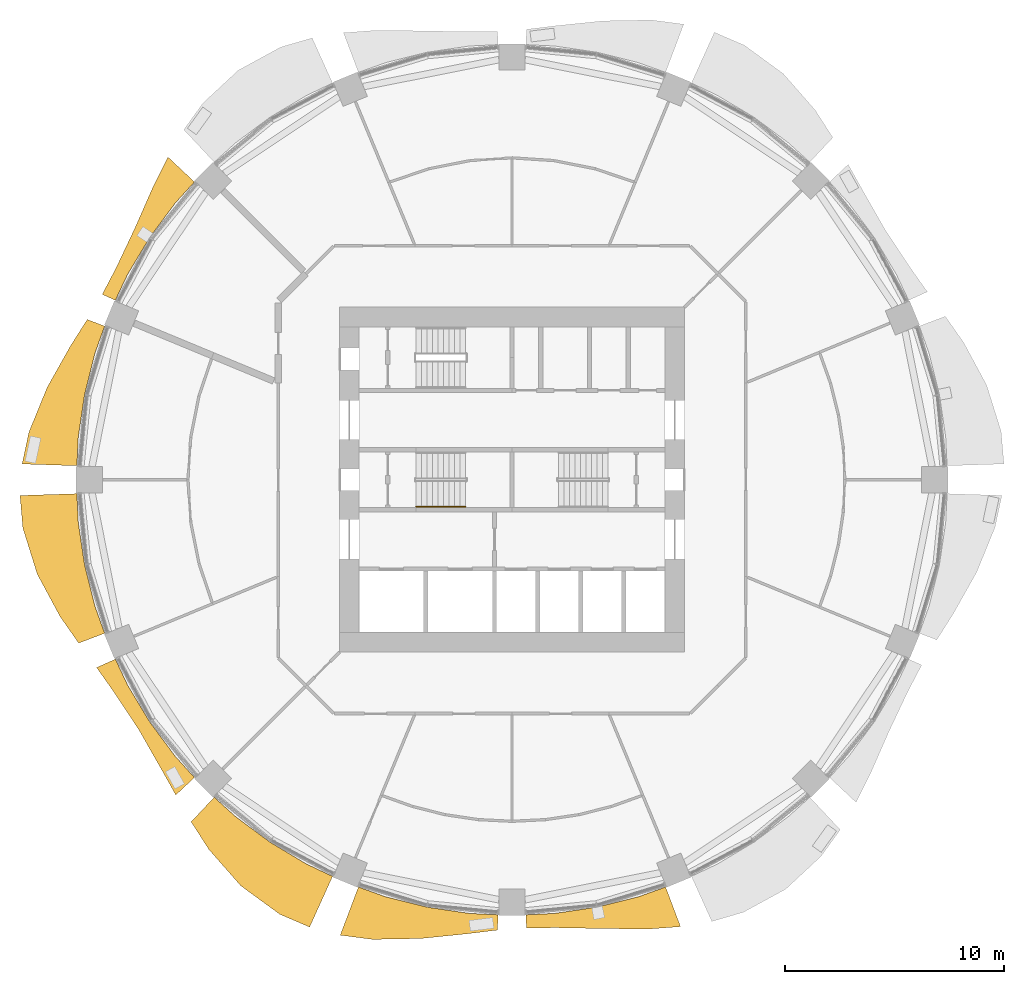
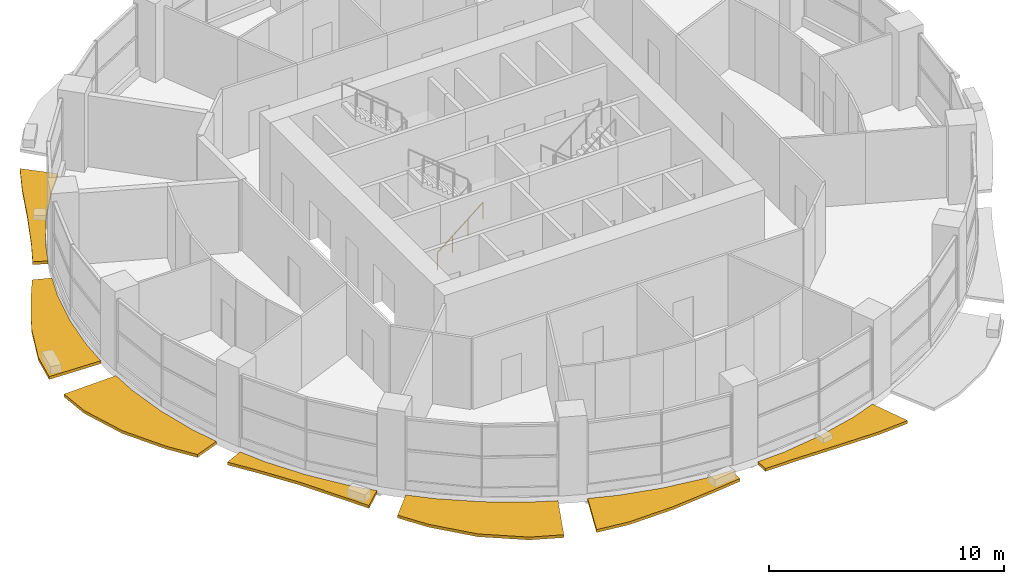
# One storey, part 11 of 14: 7 shading devices, 1 railing.
"""IFC4 building model written with IfcOpenShell, lengths in metres."""

from ifc_helpers import new_model, si_unit, direction, frame, origin, origin_2d, place, context, subcontext, project, spatial, polyline, circle, outline, extrude, material, type_object, element, save


model = new_model("IFC4")

# Units and contexts
model_context = context("Model", 3, precision=1e-05, world=origin(), true_north=direction((0.0, 1.0)))
body_context = subcontext(model_context, "Body", "Model", "MODEL_VIEW")
ifc_project = project(units=[si_unit("LENGTHUNIT", "METRE"), si_unit("AREAUNIT", "SQUARE_METRE"), si_unit("VOLUMEUNIT", "CUBIC_METRE"), si_unit("PLANEANGLEUNIT", "RADIAN"), si_unit("MASSUNIT", "GRAM", prefix="KILO")], contexts=[model_context])

# Site, building, storey
site_placement = place(None, origin())
site = spatial("IfcSite", under=ifc_project, at=site_placement, CompositionType="ELEMENT")
building_placement = place(site_placement, origin())
building = spatial("IfcBuilding", under=site, at=building_placement, Name="Polderwave Tower", CompositionType="ELEMENT")
storey_placement = place(building_placement, frame((0.0, 0.0, 14.39990234375)))
storey = spatial("IfcBuildingStorey", under=building, at=storey_placement, Name="L03", CompositionType="ELEMENT", Elevation=14.39990234375)

# Railing
ifc_material_1 = material(Name="Stainless steel", Category="steel")
railing_type = type_object("IfcRailingType", Name="Stair handrail 900", PredefinedType="HANDRAIL", material=ifc_material_1)
railing_placement = place(storey_placement, frame((-4.3740234375, -1.22509765625, 0.205078125)))
element("IfcRailing", 1, at=railing_placement, inside=storey, type_object=railing_type, Name="L03 ST-A stair handrail 1", PredefinedType="HANDRAIL", context=body_context, shape_type="SweptSolid", body=[
    extrude(circle(Radius=0.02392578125, at=origin_2d()), frame((0.0, 0.0, 0.8759765625), z_axis=(0.773272727269, 0.0, 0.634073567705), x_axis=(0.0, 1.0, 0.0)), (0.0, 0.0, 1.0), 2.90966796875),
    extrude(circle(Radius=0.02099609375, at=origin_2d()), origin(), (0.0, 0.0, 1.0), 0.851806640625),
    extrude(circle(Radius=0.02099609375, at=origin_2d()), frame((0.75, 0.0, 0.614990234375)), (0.0, 0.0, 1.0), 0.851806640625),
    extrude(circle(Radius=0.02099609375, at=origin_2d()), frame((1.5, 0.0, 1.22998046875)), (0.0, 0.0, 1.0), 0.851806640625),
    extrude(circle(Radius=0.02099609375, at=origin_2d()), frame((2.25, 0.0, 1.844970703125)), (0.0, 0.0, 1.0), 0.851806640625),
])

# Shading devices
ifc_material_2 = material(Name="Terracotta", Category="masonry")
shading_device_type = type_object("IfcShadingDeviceType", Name="Terracotta sunshade band", PredefinedType="USERDEFINED", material=ifc_material_2)
shading_device_1_placement = place(storey_placement, frame((0.0, 0.0, -0.39990234375)))
element("IfcShadingDevice", 2, at=shading_device_1_placement, inside=storey, type_object=shading_device_type, Name="Sunshade band L03 7", ObjectType="SUNSHADE", PredefinedType="USERDEFINED", context=body_context, shape_type="SweptSolid", body=[
    extrude(outline(polyline([(-14.492919921875, 13.59130859375), (-15.375244140625, 12.6181640625), (-16.537841796875, 11.05029296875), (-17.54150390625, 9.376220703125), (-18.10302734375, 8.188720703125), (-18.701416015625, 8.459228515625), (-18.072021484375, 9.65966796875), (-17.204833984375, 11.495849609375), (-16.35791015625, 13.424560546875), (-15.705078125, 14.72802734375), (-14.492919921875, 13.59130859375)])), origin(), (0.0, 0.0, 1.0), 0.14990234375),
])
shading_device_2_placement = place(storey_placement, frame((0.0, 0.0, -0.39990234375)))
element("IfcShadingDevice", 3, at=shading_device_2_placement, inside=storey, type_object=shading_device_type, Name="Sunshade band L03 8", ObjectType="SUNSHADE", PredefinedType="USERDEFINED", context=body_context, shape_type="SweptSolid", body=[
    extrude(outline(polyline([(-18.591064453125, 7.010498046875), (-19.033447265625, 5.773681640625), (-19.5078125, 3.88037109375), (-19.794189453125, 1.94970703125), (-19.858642578125, 0.637451171875), (-22.359130859375, 0.7177734375), (-22.04833984375, 2.171630859375), (-21.21240234375, 4.219482421875), (-20.14794921875, 6.11181640625), (-19.386962890625, 7.310791015625), (-18.591064453125, 7.010498046875)])), origin(), (0.0, 0.0, 1.0), 0.14990234375),
])
shading_device_3_placement = place(storey_placement, frame((0.0, 0.0, -0.39990234375)))
element("IfcShadingDevice", 4, at=shading_device_3_placement, inside=storey, type_object=shading_device_type, Name="Sunshade band L03 9", ObjectType="SUNSHADE", PredefinedType="USERDEFINED", context=body_context, shape_type="SweptSolid", body=[
    extrude(outline(polyline([(-19.858642578125, -0.637451171875), (-19.794189453125, -1.94970703125), (-19.5078125, -3.88037109375), (-19.033447265625, -5.773681640625), (-18.591064453125, -7.010498046875), (-19.77734375, -7.4580078125), (-20.6201171875, -6.2548828125), (-21.668212890625, -4.31005859375), (-22.326416015625, -2.198974609375), (-22.455322265625, -0.720947265625), (-19.858642578125, -0.637451171875)])), origin(), (0.0, 0.0, 1.0), 0.14990234375),
])
shading_device_4_placement = place(storey_placement, frame((0.0, 0.0, -0.39990234375)))
element("IfcShadingDevice", 5, at=shading_device_4_placement, inside=storey, type_object=shading_device_type, Name="Sunshade band L03 10", ObjectType="SUNSHADE", PredefinedType="USERDEFINED", context=body_context, shape_type="SweptSolid", body=[
    extrude(outline(polyline([(-18.10302734375, -8.188720703125), (-17.54150390625, -9.376220703125), (-16.537841796875, -11.05029296875), (-15.375244140625, -12.6181640625), (-14.492919921875, -13.59130859375), (-15.344970703125, -14.390380859375), (-16.03466796875, -13.1591796875), (-17.044921875, -11.388916015625), (-18.15869140625, -9.7060546875), (-18.95751953125, -8.5751953125), (-18.10302734375, -8.188720703125)])), origin(), (0.0, 0.0, 1.0), 0.14990234375),
])
shading_device_5_placement = place(storey_placement, frame((0.0, 0.0, -0.39990234375)))
element("IfcShadingDevice", 6, at=shading_device_5_placement, inside=storey, type_object=shading_device_type, Name="Sunshade band L03 11", ObjectType="SUNSHADE", PredefinedType="USERDEFINED", context=body_context, shape_type="SweptSolid", body=[
    extrude(outline(polyline([(-13.59130859375, -14.492919921875), (-12.6181640625, -15.375244140625), (-11.05029296875, -16.537841796875), (-9.376220703125, -17.54150390625), (-8.188720703125, -18.10302734375), (-9.23681640625, -20.420166015625), (-10.600830078125, -19.8330078125), (-12.382568359375, -18.53173828125), (-13.841552734375, -16.865966796875), (-14.643798828125, -15.614990234375), (-13.59130859375, -14.492919921875)])), origin(), (0.0, 0.0, 1.0), 0.14990234375),
])
shading_device_6_placement = place(storey_placement, frame((0.0, 0.0, -0.39990234375)))
element("IfcShadingDevice", 7, at=shading_device_6_placement, inside=storey, type_object=shading_device_type, Name="Sunshade band L03 12", ObjectType="SUNSHADE", PredefinedType="USERDEFINED", context=body_context, shape_type="SweptSolid", body=[
    extrude(outline(polyline([(-7.010498046875, -18.591064453125), (-5.773681640625, -19.033447265625), (-3.88037109375, -19.5078125), (-1.94970703125, -19.794189453125), (-0.637451171875, -19.858642578125), (-0.659912109375, -20.556396484375), (-2.041259765625, -20.724609375), (-4.16552734375, -20.941650390625), (-6.364501953125, -20.9814453125), (-7.839599609375, -20.789306640625), (-7.010498046875, -18.591064453125)])), origin(), (0.0, 0.0, 1.0), 0.14990234375),
])
shading_device_7_placement = place(storey_placement, frame((0.0, 0.0, -0.39990234375)))
element("IfcShadingDevice", 8, at=shading_device_7_placement, inside=storey, type_object=shading_device_type, Name="Sunshade band L03 13", ObjectType="SUNSHADE", PredefinedType="USERDEFINED", context=body_context, shape_type="SweptSolid", body=[
    extrude(outline(polyline([(0.637451171875, -19.858642578125), (1.94970703125, -19.794189453125), (3.88037109375, -19.5078125), (5.773681640625, -19.033447265625), (7.010498046875, -18.591064453125), (7.6923828125, -20.39892578125), (6.221435546875, -20.50927734375), (4.074951171875, -20.48583984375), (2.013916015625, -20.446533203125), (0.65673828125, -20.460205078125), (0.637451171875, -19.858642578125)])), origin(), (0.0, 0.0, 1.0), 0.14990234375),
])

save(model, "model.ifc")
